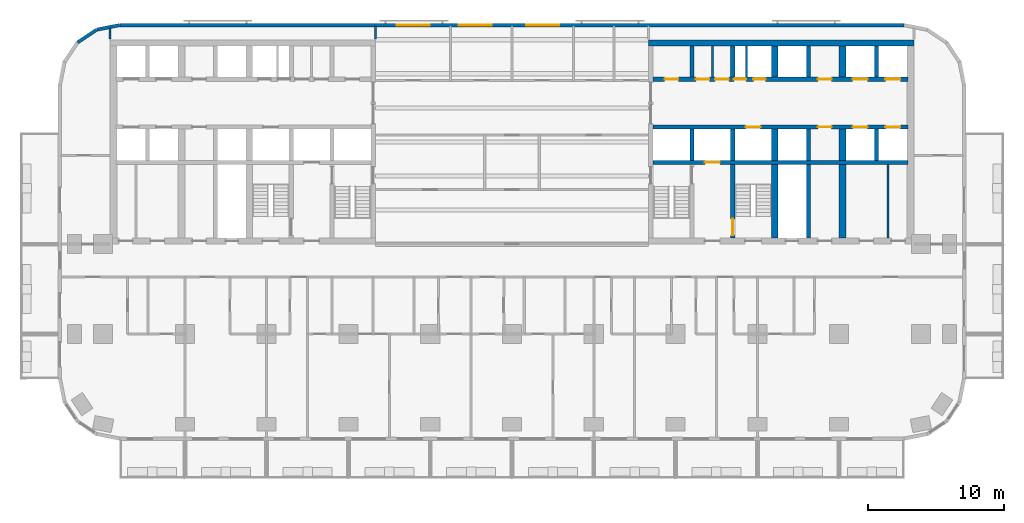
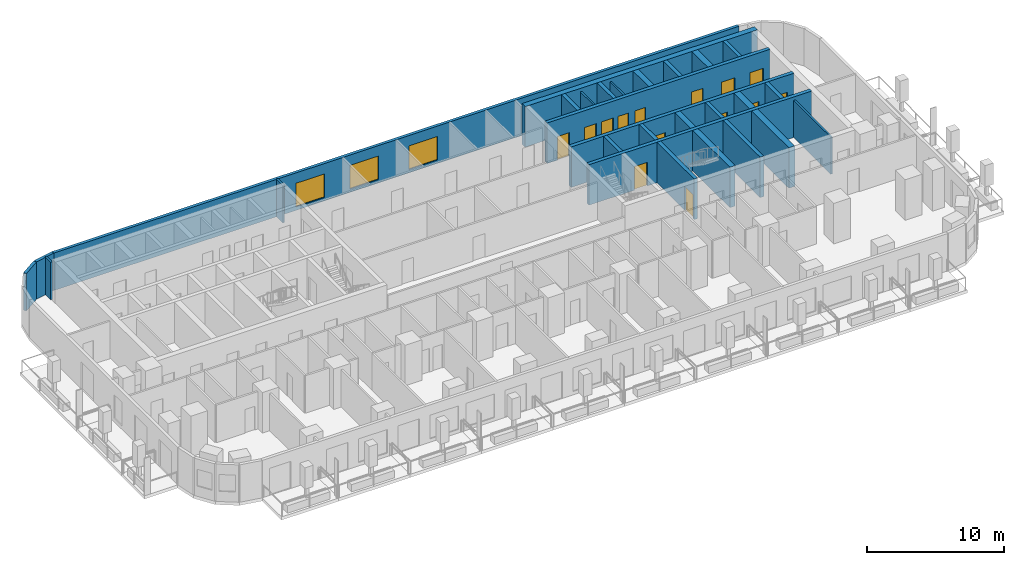
# One storey, part 7 of 13: 28 walls, 14 doors, 3 windows, 17 openings.
"""IFC4 building model written with IfcOpenShell, lengths in metres."""

from ifc_helpers import new_model, si_unit, direction, frame, frame_2d, origin, place, context, subcontext, project, spatial, rectangle, extrude, material, layer, layer_set, type_object, element, fill, save


model = new_model("IFC4")

# Units and contexts
model_context = context("Model", 3, precision=1e-05, world=origin(), true_north=direction((0.0, 1.0)))
body_context = subcontext(model_context, "Body", "Model", "MODEL_VIEW")
ifc_project = project(units=[si_unit("LENGTHUNIT", "METRE"), si_unit("AREAUNIT", "SQUARE_METRE"), si_unit("VOLUMEUNIT", "CUBIC_METRE"), si_unit("PLANEANGLEUNIT", "RADIAN"), si_unit("MASSUNIT", "GRAM", prefix="KILO")], contexts=[model_context])

# Site, building, storey
site_placement = place(None, origin())
site = spatial("IfcSite", under=ifc_project, at=site_placement, CompositionType="ELEMENT")
building_placement = place(site_placement, origin())
building = spatial("IfcBuilding", under=site, at=building_placement, Name="Torana Hotel and Residences", CompositionType="ELEMENT")
storey_placement = place(building_placement, frame((0.0, 0.0, 78.0)))
storey = spatial("IfcBuildingStorey", under=building, at=storey_placement, Name="L19", CompositionType="ELEMENT", Elevation=78.0)

# Wall, openings, doors
ifc_material_1 = material(Name="Concrete C80/95", Category="concrete")
ifc_layer_1 = layer(ifc_material_1, 0.300048828125)
ifc_layer_set_1 = layer_set([ifc_layer_1], Name="CORE WALL 300 C80/95")
wall_type_1 = type_object("IfcWallType", Name="CORE WALL 300 C80/95", PredefinedType="SHEAR", material=ifc_layer_set_1)
wall_1_placement = place(storey_placement, frame((10.35009765625, -2.89990234375, 0.0), z_axis=(0.0, 0.0, 1.0), x_axis=(1.0, 0.0, 0.0)))
wall_1 = element("IfcWall", 1, at=wall_1_placement, inside=storey, type_object=wall_type_1, Name="Core wall E row-N", PredefinedType="SHEAR", context=body_context, shape_type="SweptSolid", body=[
    extrude(rectangle(XDim=18.699951171875, YDim=0.300048828125, at=frame_2d((9.35009765625, 0.0))), origin(), (0.0, 0.0, 1.0), 3.60009765625),
])
opening_1_placement = place(wall_1_placement, frame((14.64990234375, 0.0, 0.0)))
opening_1 = element("IfcOpeningElement", 2, at=opening_1_placement, cuts=wall_1, Name="Opening LD", PredefinedType="OPENING", context=body_context, shape_type="SweptSolid", body=[
    extrude(rectangle(XDim=1.10009765625, YDim=2.10009765625, at=frame_2d((0.550048828125, 1.050048828125))), frame((0.0, 0.159912109375, 0.0), z_axis=(0.0, -1.0, 0.0), x_axis=(1.0, 0.0, 0.0)), (0.0, 0.0, 1.0), 0.320068359375),
])
opening_2_placement = place(wall_1_placement, frame((17.050048828125, 0.0, 0.0)))
opening_2 = element("IfcOpeningElement", 3, at=opening_2_placement, cuts=wall_1, Name="Opening LD", PredefinedType="OPENING", context=body_context, shape_type="SweptSolid", body=[
    extrude(rectangle(XDim=1.10009765625, YDim=2.10009765625, at=frame_2d((0.550048828125, 1.050048828125))), frame((0.0, 0.159912109375, 0.0), z_axis=(0.0, -1.0, 0.0), x_axis=(1.0, 0.0, 0.0)), (0.0, 0.0, 1.0), 0.320068359375),
])
opening_3_placement = place(wall_1_placement, frame((5.9375, 0.0, 0.0)))
opening_3 = element("IfcOpeningElement", 4, at=opening_3_placement, cuts=wall_1, Name="Opening L19-28", PredefinedType="OPENING", context=body_context, shape_type="SweptSolid", body=[
    extrude(rectangle(XDim=0.89990234375, YDim=2.10009765625, at=frame_2d((0.449951171875, 1.050048828125))), frame((0.0, 0.159912109375, 0.0), z_axis=(0.0, -1.0, 0.0), x_axis=(1.0, 0.0, 0.0)), (0.0, 0.0, 1.0), 0.320068359375),
])
opening_4_placement = place(wall_1_placement, frame((7.362548828125, 0.0, 0.0)))
opening_4 = element("IfcOpeningElement", 5, at=opening_4_placement, cuts=wall_1, Name="Opening L19-29", PredefinedType="OPENING", context=body_context, shape_type="SweptSolid", body=[
    extrude(rectangle(XDim=0.89990234375, YDim=2.10009765625, at=frame_2d((0.449951171875, 1.050048828125))), frame((0.0, 0.159912109375, 0.0), z_axis=(0.0, -1.0, 0.0), x_axis=(1.0, 0.0, 0.0)), (0.0, 0.0, 1.0), 0.320068359375),
])
opening_5_placement = place(wall_1_placement, frame((0.85009765625, 0.0, 0.0)))
opening_5 = element("IfcOpeningElement", 6, at=opening_5_placement, cuts=wall_1, Name="Opening L19-30", PredefinedType="OPENING", context=body_context, shape_type="SweptSolid", body=[
    extrude(rectangle(XDim=1.0, YDim=2.10009765625, at=frame_2d((0.5, 1.050048828125))), frame((0.0, 0.159912109375, 0.0), z_axis=(0.0, -1.0, 0.0), x_axis=(1.0, 0.0, 0.0)), (0.0, 0.0, 1.0), 0.320068359375),
])
opening_6_placement = place(wall_1_placement, frame((3.137451171875, 0.0, 0.0)))
opening_6 = element("IfcOpeningElement", 7, at=opening_6_placement, cuts=wall_1, Name="Opening L19-31", PredefinedType="OPENING", context=body_context, shape_type="SweptSolid", body=[
    extrude(rectangle(XDim=1.0, YDim=2.10009765625, at=frame_2d((0.5, 1.050048828125))), frame((0.0, 0.159912109375, 0.0), z_axis=(0.0, -1.0, 0.0), x_axis=(1.0, 0.0, 0.0)), (0.0, 0.0, 1.0), 0.320068359375),
])
opening_7_placement = place(wall_1_placement, frame((4.5625, 0.0, 0.0)))
opening_7 = element("IfcOpeningElement", 8, at=opening_7_placement, cuts=wall_1, Name="Opening L19-32", PredefinedType="OPENING", context=body_context, shape_type="SweptSolid", body=[
    extrude(rectangle(XDim=1.0, YDim=2.10009765625, at=frame_2d((0.5, 1.050048828125))), frame((0.0, 0.159912109375, 0.0), z_axis=(0.0, -1.0, 0.0), x_axis=(1.0, 0.0, 0.0)), (0.0, 0.0, 1.0), 0.320068359375),
])
opening_8_placement = place(wall_1_placement, frame((12.10009765625, 0.0, 0.0)))
opening_8 = element("IfcOpeningElement", 9, at=opening_8_placement, cuts=wall_1, Name="Opening L19-33", PredefinedType="OPENING", context=body_context, shape_type="SweptSolid", body=[
    extrude(rectangle(XDim=1.0, YDim=2.10009765625, at=frame_2d((0.5, 1.050048828125))), frame((0.0, 0.159912109375, 0.0), z_axis=(0.0, -1.0, 0.0), x_axis=(1.0, 0.0, 0.0)), (0.0, 0.0, 1.0), 0.320068359375),
])
ifc_material_2 = material(Name="Steel S235", Category="steel")
door_type_1 = type_object("IfcDoorType", Name="CORE ROOM FIRE DOOR D14 1000x2100", OperationType="SINGLE_SWING_LEFT", PredefinedType="DOOR", material=ifc_material_2)
door_1_placement = place(opening_5_placement, origin())
door_1 = element("IfcDoor", 10, at=door_1_placement, inside=storey, type_object=door_type_1, Name="N0 door L19", OperationType="SINGLE_SWING_RIGHT", OverallHeight=2.10009765625, OverallWidth=1.0, PredefinedType="DOOR", context=body_context, shape_type="SweptSolid", body=[
    extrude(rectangle(XDim=1.0, YDim=2.10009765625, at=frame_2d((0.5, 1.050048828125))), frame((0.0, 0.02490234375, 0.0), z_axis=(0.0, -1.0, 0.0), x_axis=(1.0, 0.0, 0.0)), (0.0, 0.0, 1.0), 0.050048828125),
])
fill(opening_5, door_1)
door_2_placement = place(opening_6_placement, origin())
door_2 = element("IfcDoor", 11, at=door_2_placement, inside=storey, type_object=door_type_1, Name="N1A door L19", OperationType="SINGLE_SWING_RIGHT", OverallHeight=2.10009765625, OverallWidth=1.0, PredefinedType="DOOR", context=body_context, shape_type="SweptSolid", body=[
    extrude(rectangle(XDim=1.0, YDim=2.10009765625, at=frame_2d((0.5, 1.050048828125))), frame((0.0, 0.02490234375, 0.0), z_axis=(0.0, -1.0, 0.0), x_axis=(1.0, 0.0, 0.0)), (0.0, 0.0, 1.0), 0.050048828125),
])
fill(opening_6, door_2)
door_3_placement = place(opening_7_placement, origin())
door_3 = element("IfcDoor", 12, at=door_3_placement, inside=storey, type_object=door_type_1, Name="N1B door L19", OperationType="SINGLE_SWING_RIGHT", OverallHeight=2.10009765625, OverallWidth=1.0, PredefinedType="DOOR", context=body_context, shape_type="SweptSolid", body=[
    extrude(rectangle(XDim=1.0, YDim=2.10009765625, at=frame_2d((0.5, 1.050048828125))), frame((0.0, 0.02490234375, 0.0), z_axis=(0.0, -1.0, 0.0), x_axis=(1.0, 0.0, 0.0)), (0.0, 0.0, 1.0), 0.050048828125),
])
fill(opening_7, door_3)
door_4_placement = place(opening_8_placement, origin())
door_4 = element("IfcDoor", 13, at=door_4_placement, inside=storey, type_object=door_type_1, Name="Free-M3 door L19", OperationType="SINGLE_SWING_RIGHT", OverallHeight=2.10009765625, OverallWidth=1.0, PredefinedType="DOOR", context=body_context, shape_type="SweptSolid", body=[
    extrude(rectangle(XDim=1.0, YDim=2.10009765625, at=frame_2d((0.5, 1.050048828125))), frame((0.0, 0.02490234375, 0.0), z_axis=(0.0, -1.0, 0.0), x_axis=(1.0, 0.0, 0.0)), (0.0, 0.0, 1.0), 0.050048828125),
])
fill(opening_8, door_4)
ifc_material_3 = material(Name="Stainless steel 316", Category="steel")
door_type_2 = type_object("IfcDoorType", Name="LIFT LANDING DOOR LD 1100x2100", OperationType="DOUBLE_DOOR_SLIDING", PredefinedType="USERDEFINED", material=ifc_material_3)
door_5_placement = place(opening_1_placement, origin())
door_5 = element("IfcDoor", 14, at=door_5_placement, inside=storey, type_object=door_type_2, Name="Lift landing door L5 L19", ObjectType="LIFT LANDING DOOR", OperationType="DOUBLE_DOOR_SLIDING", OverallHeight=2.10009765625, OverallWidth=1.10009765625, PredefinedType="USERDEFINED", context=body_context, shape_type="SweptSolid", body=[
    extrude(rectangle(XDim=1.10009765625, YDim=2.10009765625, at=frame_2d((0.550048828125, 1.050048828125))), frame((0.0, 0.02490234375, 0.0), z_axis=(0.0, -1.0, 0.0), x_axis=(1.0, 0.0, 0.0)), (0.0, 0.0, 1.0), 0.050048828125),
])
fill(opening_1, door_5)
door_6_placement = place(opening_2_placement, origin())
door_6 = element("IfcDoor", 15, at=door_6_placement, inside=storey, type_object=door_type_2, Name="Lift landing door L6 L19", ObjectType="LIFT LANDING DOOR", OperationType="DOUBLE_DOOR_SLIDING", OverallHeight=2.10009765625, OverallWidth=1.10009765625, PredefinedType="USERDEFINED", context=body_context, shape_type="SweptSolid", body=[
    extrude(rectangle(XDim=1.10009765625, YDim=2.10009765625, at=frame_2d((0.550048828125, 1.050048828125))), frame((0.0, 0.02490234375, 0.0), z_axis=(0.0, -1.0, 0.0), x_axis=(1.0, 0.0, 0.0)), (0.0, 0.0, 1.0), 0.050048828125),
])
fill(opening_2, door_6)
ifc_material_4 = material(Name="Steel S235", Category="steel")
door_type_3 = type_object("IfcDoorType", Name="RISER ACCESS DOOR D5 900x2100", OperationType="SINGLE_SWING_LEFT", PredefinedType="DOOR", material=ifc_material_4)
door_7_placement = place(opening_3_placement, origin())
door_7 = element("IfcDoor", 16, at=door_7_placement, inside=storey, type_object=door_type_3, Name="N2A door L19", OperationType="SINGLE_SWING_RIGHT", OverallHeight=2.10009765625, OverallWidth=0.89990234375, PredefinedType="DOOR", context=body_context, shape_type="SweptSolid", body=[
    extrude(rectangle(XDim=0.89990234375, YDim=2.10009765625, at=frame_2d((0.449951171875, 1.050048828125))), frame((0.0, 0.02490234375, 0.0), z_axis=(0.0, -1.0, 0.0), x_axis=(1.0, 0.0, 0.0)), (0.0, 0.0, 1.0), 0.050048828125),
])
fill(opening_3, door_7)
door_8_placement = place(opening_4_placement, origin())
door_8 = element("IfcDoor", 17, at=door_8_placement, inside=storey, type_object=door_type_3, Name="N2B door L19", OperationType="SINGLE_SWING_RIGHT", OverallHeight=2.10009765625, OverallWidth=0.89990234375, PredefinedType="DOOR", context=body_context, shape_type="SweptSolid", body=[
    extrude(rectangle(XDim=0.89990234375, YDim=2.10009765625, at=frame_2d((0.449951171875, 1.050048828125))), frame((0.0, 0.02490234375, 0.0), z_axis=(0.0, -1.0, 0.0), x_axis=(1.0, 0.0, 0.0)), (0.0, 0.0, 1.0), 0.050048828125),
])
fill(opening_4, door_8)

wall_2_placement = place(storey_placement, frame((10.35009765625, -6.39990234375, 0.0), z_axis=(0.0, 0.0, 1.0), x_axis=(1.0, 0.0, 0.0)))
wall_2 = element("IfcWall", 18, at=wall_2_placement, inside=storey, type_object=wall_type_1, Name="Core wall E row-S", PredefinedType="SHEAR", context=body_context, shape_type="SweptSolid", body=[
    extrude(rectangle(XDim=18.699951171875, YDim=0.300048828125, at=frame_2d((9.35009765625, 0.0))), origin(), (0.0, 0.0, 1.0), 3.60009765625),
])
opening_9_placement = place(wall_2_placement, frame((14.64990234375, 0.0, 0.0)))
opening_9 = element("IfcOpeningElement", 19, at=opening_9_placement, cuts=wall_2, Name="Opening LD", PredefinedType="OPENING", context=body_context, shape_type="SweptSolid", body=[
    extrude(rectangle(XDim=1.10009765625, YDim=2.10009765625, at=frame_2d((0.550048828125, 1.050048828125))), frame((0.0, 0.159912109375, 0.0), z_axis=(0.0, -1.0, 0.0), x_axis=(1.0, 0.0, 0.0)), (0.0, 0.0, 1.0), 0.320068359375),
])
opening_10_placement = place(wall_2_placement, frame((17.050048828125, 0.0, 0.0)))
opening_10 = element("IfcOpeningElement", 20, at=opening_10_placement, cuts=wall_2, Name="Opening LD", PredefinedType="OPENING", context=body_context, shape_type="SweptSolid", body=[
    extrude(rectangle(XDim=1.10009765625, YDim=2.10009765625, at=frame_2d((0.550048828125, 1.050048828125))), frame((0.0, 0.159912109375, 0.0), z_axis=(0.0, -1.0, 0.0), x_axis=(1.0, 0.0, 0.0)), (0.0, 0.0, 1.0), 0.320068359375),
])
opening_11_placement = place(wall_2_placement, frame((6.800048828125, 0.0, 0.0)))
opening_11 = element("IfcOpeningElement", 21, at=opening_11_placement, cuts=wall_2, Name="Opening LD", PredefinedType="OPENING", context=body_context, shape_type="SweptSolid", body=[
    extrude(rectangle(XDim=1.10009765625, YDim=2.10009765625, at=frame_2d((0.550048828125, 1.050048828125))), frame((0.0, 0.159912109375, 0.0), z_axis=(0.0, -1.0, 0.0), x_axis=(1.0, 0.0, 0.0)), (0.0, 0.0, 1.0), 0.320068359375),
])
opening_12_placement = place(wall_2_placement, frame((12.10009765625, 0.0, 0.0)))
opening_12 = element("IfcOpeningElement", 22, at=opening_12_placement, cuts=wall_2, Name="Opening L19-34", PredefinedType="OPENING", context=body_context, shape_type="SweptSolid", body=[
    extrude(rectangle(XDim=1.0, YDim=2.10009765625, at=frame_2d((0.5, 1.050048828125))), frame((0.0, 0.159912109375, 0.0), z_axis=(0.0, -1.0, 0.0), x_axis=(1.0, 0.0, 0.0)), (0.0, 0.0, 1.0), 0.320068359375),
])
door_9_placement = place(opening_12_placement, frame((0.5, 0.0, 0.0), z_axis=(0.0, 0.0, 1.0), x_axis=(-1.0, 0.0, 0.0)))
door_9 = element("IfcDoor", 23, at=door_9_placement, inside=storey, type_object=door_type_1, Name="Free-M4 door L19", OperationType="SINGLE_SWING_LEFT", OverallHeight=2.10009765625, OverallWidth=1.0, PredefinedType="DOOR", context=body_context, shape_type="SweptSolid", body=[
    extrude(rectangle(XDim=1.0, YDim=2.10009765625, at=frame_2d((0.0, 1.050048828125))), frame((0.0, -0.02490234375, 0.0), z_axis=(0.0, 1.0, 0.0), x_axis=(-1.0, 0.0, 0.0)), (0.0, 0.0, 1.0), 0.050048828125),
])
fill(opening_12, door_9)
door_10_placement = place(opening_9_placement, origin())
door_10 = element("IfcDoor", 24, at=door_10_placement, inside=storey, type_object=door_type_2, Name="Lift landing door L7 L19", ObjectType="LIFT LANDING DOOR", OperationType="DOUBLE_DOOR_SLIDING", OverallHeight=2.10009765625, OverallWidth=1.10009765625, PredefinedType="USERDEFINED", context=body_context, shape_type="SweptSolid", body=[
    extrude(rectangle(XDim=1.10009765625, YDim=2.10009765625, at=frame_2d((0.550048828125, 1.050048828125))), frame((0.0, 0.02490234375, 0.0), z_axis=(0.0, -1.0, 0.0), x_axis=(1.0, 0.0, 0.0)), (0.0, 0.0, 1.0), 0.050048828125),
])
fill(opening_9, door_10)
door_11_placement = place(opening_10_placement, origin())
door_11 = element("IfcDoor", 25, at=door_11_placement, inside=storey, type_object=door_type_2, Name="Lift landing door L8 L19", ObjectType="LIFT LANDING DOOR", OperationType="DOUBLE_DOOR_SLIDING", OverallHeight=2.10009765625, OverallWidth=1.10009765625, PredefinedType="USERDEFINED", context=body_context, shape_type="SweptSolid", body=[
    extrude(rectangle(XDim=1.10009765625, YDim=2.10009765625, at=frame_2d((0.550048828125, 1.050048828125))), frame((0.0, 0.02490234375, 0.0), z_axis=(0.0, -1.0, 0.0), x_axis=(1.0, 0.0, 0.0)), (0.0, 0.0, 1.0), 0.050048828125),
])
fill(opening_10, door_11)
door_12_placement = place(opening_11_placement, origin())
door_12 = element("IfcDoor", 26, at=door_12_placement, inside=storey, type_object=door_type_2, Name="Lift landing door SV2 L19", ObjectType="LIFT LANDING DOOR", OperationType="DOUBLE_DOOR_SLIDING", OverallHeight=2.10009765625, OverallWidth=1.10009765625, PredefinedType="USERDEFINED", context=body_context, shape_type="SweptSolid", body=[
    extrude(rectangle(XDim=1.10009765625, YDim=2.10009765625, at=frame_2d((0.550048828125, 1.050048828125))), frame((0.0, 0.02490234375, 0.0), z_axis=(0.0, -1.0, 0.0), x_axis=(1.0, 0.0, 0.0)), (0.0, 0.0, 1.0), 0.050048828125),
])
fill(opening_11, door_12)

# Wall, opening, door
wall_3_placement = place(storey_placement, frame((10.35009765625, -9.0, 0.0), z_axis=(0.0, 0.0, 1.0), x_axis=(1.0, 0.0, 0.0)))
wall_3 = element("IfcWall", 27, at=wall_3_placement, inside=storey, type_object=wall_type_1, Name="Core wall E band", PredefinedType="SHEAR", context=body_context, shape_type="SweptSolid", body=[
    extrude(rectangle(XDim=18.699951171875, YDim=0.300048828125, at=frame_2d((9.35009765625, 0.0))), origin(), (0.0, 0.0, 1.0), 3.60009765625),
])
opening_13_placement = place(wall_3_placement, frame((3.800048828125, 0.0, 0.0)))
opening_13 = element("IfcOpeningElement", 28, at=opening_13_placement, cuts=wall_3, Name="Opening LD", PredefinedType="OPENING", context=body_context, shape_type="SweptSolid", body=[
    extrude(rectangle(XDim=1.10009765625, YDim=2.10009765625, at=frame_2d((0.550048828125, 1.050048828125))), frame((0.0, 0.159912109375, 0.0), z_axis=(0.0, -1.0, 0.0), x_axis=(1.0, 0.0, 0.0)), (0.0, 0.0, 1.0), 0.320068359375),
])
door_13_placement = place(opening_13_placement, origin())
door_13 = element("IfcDoor", 29, at=door_13_placement, inside=storey, type_object=door_type_2, Name="Lift landing door FF2 L19", ObjectType="LIFT LANDING DOOR", OperationType="DOUBLE_DOOR_SLIDING", OverallHeight=2.10009765625, OverallWidth=1.10009765625, PredefinedType="USERDEFINED", context=body_context, shape_type="SweptSolid", body=[
    extrude(rectangle(XDim=1.10009765625, YDim=2.10009765625, at=frame_2d((0.550048828125, 1.050048828125))), frame((0.0, 0.02490234375, 0.0), z_axis=(0.0, -1.0, 0.0), x_axis=(1.0, 0.0, 0.0)), (0.0, 0.0, 1.0), 0.050048828125),
])
fill(opening_13, door_13)

# Walls
for number, where, z_axis, x_axis, name in (
    (30, (13.199951171875, -2.75, 0.0), (0.0, 0.0, 1.0), (0.0, 1.0, 0.0), "Core wall E x3.05-N"),
    (31, (13.199951171875, -8.85009765625, 0.0), (0.0, 0.0, 1.0), (0.0, 1.0, 0.0), "Core wall E x3.05-S"),
    (32, (16.199951171875, -2.75, 0.0), (0.0, 0.0, 1.0), (0.0, 1.0, 0.0), "Core wall E x6.05-N"),
    (33, (16.199951171875, -8.85009765625, 0.0), (0.0, 0.0, 1.0), (0.0, 1.0, 0.0), "Core wall E x6.05-S"),
):
    element("IfcWall", number, at=place(storey_placement, frame(where, z_axis=z_axis, x_axis=x_axis)), inside=storey, type_object=wall_type_1, Name=name, PredefinedType="SHEAR", context=body_context, shape_type="SweptSolid", body=[
        extrude(rectangle(XDim=2.300048828125, YDim=0.300048828125, at=frame_2d((1.14990234375, 0.0))), origin(), (0.0, 0.0, 1.0), 3.60009765625),
    ])

# Wall, opening, door
wall_4_placement = place(storey_placement, frame((16.199951171875, -14.550048828125, 0.0), z_axis=(0.0, 0.0, 1.0), x_axis=(0.0, 1.0, 0.0)))
wall_4 = element("IfcWall", 34, at=wall_4_placement, inside=storey, type_object=wall_type_1, Name="Core wall E x6.05-band", PredefinedType="SHEAR", context=body_context, shape_type="SweptSolid", body=[
    extrude(rectangle(XDim=5.400146484375, YDim=0.300048828125, at=frame_2d((2.7001953125, 0.0))), origin(), (0.0, 0.0, 1.0), 3.60009765625),
])
opening_14_placement = place(wall_4_placement, frame((0.199951171875, 0.0, 0.0)))
opening_14 = element("IfcOpeningElement", 35, at=opening_14_placement, cuts=wall_4, Name="Opening L19-36", PredefinedType="OPENING", context=body_context, shape_type="SweptSolid", body=[
    extrude(rectangle(XDim=1.199951171875, YDim=2.10009765625, at=frame_2d((0.60009765625, 1.050048828125))), frame((0.0, 0.159912109375, 0.0), z_axis=(0.0, -1.0, 0.0), x_axis=(1.0, 0.0, 0.0)), (0.0, 0.0, 1.0), 0.320068359375),
])
ifc_material_5 = material(Name="Steel S235", Category="steel")
door_type_4 = type_object("IfcDoorType", Name="STAIR FIRE DOOR D3 1200x2100", OperationType="SINGLE_SWING_LEFT", PredefinedType="DOOR", material=ifc_material_5)
door_14_placement = place(opening_14_placement, frame((0.60009765625, 0.0, 0.0), z_axis=(0.0, 0.0, 1.0), x_axis=(-1.0, 0.0, 0.0)))
door_14 = element("IfcDoor", 36, at=door_14_placement, inside=storey, type_object=door_type_4, Name="Stair-B-lobby door L19", OperationType="SINGLE_SWING_LEFT", OverallHeight=2.10009765625, OverallWidth=1.199951171875, PredefinedType="DOOR", context=body_context, shape_type="SweptSolid", body=[
    extrude(rectangle(XDim=1.199951171875, YDim=2.10009765625, at=frame_2d((0.0, 1.050048828125))), frame((0.0, -0.02490234375, 0.0), z_axis=(0.0, 1.0, 0.0), x_axis=(-1.0, 0.0, 0.0)), (0.0, 0.0, 1.0), 0.050048828125),
])
fill(opening_14, door_14)

# Walls
for number, where, z_axis, x_axis, name in (
    (37, (21.75, -2.75, 0.0), (0.0, 0.0, 1.0), (0.0, 1.0, 0.0), "Core wall E mm-N"),
    (38, (21.75, -8.85009765625, 0.0), (0.0, 0.0, 1.0), (0.0, 1.0, 0.0), "Core wall E mm-S"),
):
    element("IfcWall", number, at=place(storey_placement, frame(where, z_axis=z_axis, x_axis=x_axis)), inside=storey, type_object=wall_type_1, Name=name, PredefinedType="SHEAR", context=body_context, shape_type="SweptSolid", body=[
        extrude(rectangle(XDim=2.300048828125, YDim=0.300048828125, at=frame_2d((1.14990234375, 0.0))), origin(), (0.0, 0.0, 1.0), 3.60009765625),
    ])
wall_5_placement = place(storey_placement, frame((21.75, -14.550048828125, 0.0), z_axis=(0.0, 0.0, 1.0), x_axis=(0.0, 1.0, 0.0)))
element("IfcWall", 39, at=wall_5_placement, inside=storey, type_object=wall_type_1, Name="Core wall E mm-band", PredefinedType="SHEAR", context=body_context, shape_type="SweptSolid", body=[
    extrude(rectangle(XDim=5.400146484375, YDim=0.300048828125, at=frame_2d((2.7001953125, 0.0))), origin(), (0.0, 0.0, 1.0), 3.60009765625),
])
for number, where, z_axis, x_axis, name in (
    (40, (26.75, -2.75, 0.0), (0.0, 0.0, 1.0), (0.0, 1.0, 0.0), "Core wall E ll-N"),
    (41, (26.75, -8.85009765625, 0.0), (0.0, 0.0, 1.0), (0.0, 1.0, 0.0), "Core wall E ll-S"),
):
    element("IfcWall", number, at=place(storey_placement, frame(where, z_axis=z_axis, x_axis=x_axis)), inside=storey, type_object=wall_type_1, Name=name, PredefinedType="SHEAR", context=body_context, shape_type="SweptSolid", body=[
        extrude(rectangle(XDim=2.300048828125, YDim=0.300048828125, at=frame_2d((1.14990234375, 0.0))), origin(), (0.0, 0.0, 1.0), 3.60009765625),
    ])
ifc_material_6 = material(Name="Concrete C80/95", Category="concrete")
ifc_layer_2 = layer(ifc_material_6, 0.449951171875)
ifc_layer_set_2 = layer_set([ifc_layer_2], Name="CORE WALL 450 C80/95")
wall_type_2 = type_object("IfcWallType", Name="CORE WALL 450 C80/95", PredefinedType="SHEAR", material=ifc_layer_set_2)
wall_6_placement = place(storey_placement, frame((10.0, -0.22509765625, 0.0), z_axis=(0.0, 0.0, 1.0), x_axis=(1.0, 0.0, 0.0)))
element("IfcWall", 42, at=wall_6_placement, inside=storey, type_object=wall_type_2, Name="Core wall E rear", PredefinedType="SHEAR", context=body_context, shape_type="SweptSolid", body=[
    extrude(rectangle(XDim=19.5, YDim=0.449951171875, at=frame_2d((9.75, 0.0))), origin(), (0.0, 0.0, 1.0), 3.60009765625),
])
for number, where, z_axis, x_axis, name in (
    (43, (19.27490234375, -2.75, 0.0), (0.0, 0.0, 1.0), (0.0, 1.0, 0.0), "Core wall E hm-N"),
    (44, (19.27490234375, -8.85009765625, 0.0), (0.0, 0.0, 1.0), (0.0, 1.0, 0.0), "Core wall E hm-S"),
):
    element("IfcWall", number, at=place(storey_placement, frame(where, z_axis=z_axis, x_axis=x_axis)), inside=storey, type_object=wall_type_2, Name=name, PredefinedType="SHEAR", context=body_context, shape_type="SweptSolid", body=[
        extrude(rectangle(XDim=2.300048828125, YDim=0.449951171875, at=frame_2d((1.14990234375, 0.0))), origin(), (0.0, 0.0, 1.0), 3.60009765625),
    ])
wall_7_placement = place(storey_placement, frame((19.27490234375, -14.550048828125, 0.0), z_axis=(0.0, 0.0, 1.0), x_axis=(0.0, 1.0, 0.0)))
element("IfcWall", 45, at=wall_7_placement, inside=storey, type_object=wall_type_2, Name="Core wall E hm-band", PredefinedType="SHEAR", context=body_context, shape_type="SweptSolid", body=[
    extrude(rectangle(XDim=5.400146484375, YDim=0.449951171875, at=frame_2d((2.7001953125, 0.0))), origin(), (0.0, 0.0, 1.0), 3.60009765625),
])
ifc_material_7 = material(Name="Concrete C80/95", Category="concrete")
ifc_layer_3 = layer(ifc_material_7, 0.5)
ifc_layer_set_3 = layer_set([ifc_layer_3], Name="CORE WALL 500 C80/95")
wall_type_3 = type_object("IfcWallType", Name="CORE WALL 500 C80/95", PredefinedType="SHEAR", material=ifc_layer_set_3)
for number, where, z_axis, x_axis, name in (
    (46, (24.25, -2.75, 0.0), (0.0, 0.0, 1.0), (0.0, 1.0, 0.0), "Core wall E ml-N"),
    (47, (24.25, -8.85009765625, 0.0), (0.0, 0.0, 1.0), (0.0, 1.0, 0.0), "Core wall E ml-S"),
):
    element("IfcWall", number, at=place(storey_placement, frame(where, z_axis=z_axis, x_axis=x_axis)), inside=storey, type_object=wall_type_3, Name=name, PredefinedType="SHEAR", context=body_context, shape_type="SweptSolid", body=[
        extrude(rectangle(XDim=2.300048828125, YDim=0.5, at=frame_2d((1.14990234375, 0.0))), origin(), (0.0, 0.0, 1.0), 3.60009765625),
    ])
wall_8_placement = place(storey_placement, frame((24.25, -14.550048828125, 0.0), z_axis=(0.0, 0.0, 1.0), x_axis=(0.0, 1.0, 0.0)))
element("IfcWall", 48, at=wall_8_placement, inside=storey, type_object=wall_type_3, Name="Core wall E ml-band", PredefinedType="SHEAR", context=body_context, shape_type="SweptSolid", body=[
    extrude(rectangle(XDim=5.400146484375, YDim=0.5, at=frame_2d((2.7001953125, 0.0))), origin(), (0.0, 0.0, 1.0), 3.60009765625),
])
ifc_material_8 = material(Name="Black aluminium composite panel", Category="aluminium")
ifc_layer_4 = layer(ifc_material_8, 0.00390625, Name="Cladding", Category="cladding")
ifc_material_9 = material(Name="Ventilated air cavity")
ifc_layer_5 = layer(ifc_material_9, 0.0400390625, Name="Ventilated cavity", Category="cavity")
ifc_material_10 = material(Name="Mineral wool insulation")
ifc_layer_6 = layer(ifc_material_10, 0.090087890625, Name="Insulation", Category="insulation")
ifc_material_11 = material(Name="Steel S280GD", Category="steel")
ifc_layer_7 = layer(ifc_material_11, 0.092041015625, Name="Steel stud frame", Category="structure")
ifc_material_12 = material(Name="Fire rated plasterboard")
ifc_layer_8 = layer(ifc_material_12, 0.011962890625, Name="Inner board", Category="finish")
ifc_layer_9 = layer(ifc_material_12, 0.011962890625, Name="Second board", Category="finish")
ifc_layer_set_4 = layer_set([ifc_layer_4, ifc_layer_5, ifc_layer_6, ifc_layer_7, ifc_layer_8, ifc_layer_9], Name="EW1 EXTERNAL WALL BLACK METAL CLAD 250")
wall_type_4 = type_object("IfcWallType", Name="EW1 EXTERNAL WALL BLACK METAL CLAD 250", PredefinedType="SOLIDWALL", material=ifc_layer_set_4)
wall_9_placement = place(storey_placement, frame((-28.7998046875, 1.072509765625, 0.0), z_axis=(0.0, 0.0, 1.0), x_axis=(-0.980803419081, -0.194999110559, 0.0)))
element("IfcWall", 49, at=wall_9_placement, inside=storey, type_object=wall_type_4, Name="External wall L19 e0.5", PredefinedType="SOLIDWALL", context=body_context, shape_type="SweptSolid", body=[
    extrude(rectangle(XDim=1.681396484375, YDim=0.25, at=frame_2d((0.8408203125, 0.0))), origin(), (0.0, 0.0, 1.0), 3.320068359375),
])
wall_10_placement = place(storey_placement, frame((-30.493896484375, 0.725830078125, 0.0), z_axis=(0.0, 0.0, 1.0), x_axis=(-0.831482937015, -0.55555029066, 0.0)))
element("IfcWall", 50, at=wall_10_placement, inside=storey, type_object=wall_type_4, Name="External wall L19 e0.6", PredefinedType="SOLIDWALL", context=body_context, shape_type="SweptSolid", body=[
    extrude(rectangle(XDim=1.65625, YDim=0.25, at=frame_2d((0.828125, 0.0))), origin(), (0.0, 0.0, 1.0), 3.320068359375),
])

# Wall, openings, windows
ifc_material_13 = material(Name="Concrete C40/50 precast", Category="concrete")
ifc_layer_10 = layer(ifc_material_13, 0.10009765625, Name="Perforated block", Category="cladding")
ifc_material_14 = material(Name="Air cavity")
ifc_layer_11 = layer(ifc_material_14, 0.030029296875, Name="Cavity", Category="cavity")
ifc_material_15 = material(Name="Concrete C40/50", Category="concrete")
ifc_layer_12 = layer(ifc_material_15, 0.10009765625, Name="Wall", Category="structure")
ifc_material_16 = material(Name="Plaster and paint")
ifc_layer_13 = layer(ifc_material_16, 0.02001953125, Name="Inner finish", Category="finish")
ifc_layer_set_5 = layer_set([ifc_layer_10, ifc_layer_11, ifc_layer_12, ifc_layer_13], Name="EW2 PERFORATED BLOCK SCREEN WALL 250")
wall_type_5 = type_object("IfcWallType", Name="EW2 PERFORATED BLOCK SCREEN WALL 250", PredefinedType="SOLIDWALL", material=ifc_layer_set_5)
wall_11_placement = place(storey_placement, frame((28.775390625, 1.074951171875, 0.0), z_axis=(0.0, 0.0, 1.0), x_axis=(-1.0, 0.0, 0.0)))
wall_11 = element("IfcWall", 51, at=wall_11_placement, inside=storey, type_object=wall_type_5, Name="External wall L19 e0.4", PredefinedType="SOLIDWALL", context=body_context, shape_type="SweptSolid", body=[
    extrude(rectangle(XDim=57.55078125, YDim=0.25, at=frame_2d((28.775390625, 0.0))), origin(), (0.0, 0.0, 1.0), 3.320068359375),
])
opening_15_placement = place(wall_11_placement, frame((25.325439453125, 0.0, 0.300048828125)))
opening_15 = element("IfcOpeningElement", 52, at=opening_15_placement, cuts=wall_11, Name="Opening W1", PredefinedType="OPENING", context=body_context, shape_type="SweptSolid", body=[
    extrude(rectangle(XDim=2.39990234375, YDim=2.10009765625, at=frame_2d((1.199951171875, 1.050048828125))), frame((0.0, 0.135009765625, 0.0), z_axis=(0.0, -1.0, 0.0), x_axis=(1.0, 0.0, 0.0)), (0.0, 0.0, 1.0), 0.27001953125),
])
opening_16_placement = place(wall_11_placement, frame((30.275390625, 0.0, 0.300048828125)))
opening_16 = element("IfcOpeningElement", 53, at=opening_16_placement, cuts=wall_11, Name="Opening W1", PredefinedType="OPENING", context=body_context, shape_type="SweptSolid", body=[
    extrude(rectangle(XDim=2.39990234375, YDim=2.10009765625, at=frame_2d((1.199951171875, 1.050048828125))), frame((0.0, 0.135009765625, 0.0), z_axis=(0.0, -1.0, 0.0), x_axis=(1.0, 0.0, 0.0)), (0.0, 0.0, 1.0), 0.27001953125),
])
opening_17_placement = place(wall_11_placement, frame((34.825439453125, 0.0, 0.300048828125)))
opening_17 = element("IfcOpeningElement", 54, at=opening_17_placement, cuts=wall_11, Name="Opening W1", PredefinedType="OPENING", context=body_context, shape_type="SweptSolid", body=[
    extrude(rectangle(XDim=2.39990234375, YDim=2.10009765625, at=frame_2d((1.199951171875, 1.050048828125))), frame((0.0, 0.135009765625, 0.0), z_axis=(0.0, -1.0, 0.0), x_axis=(1.0, 0.0, 0.0)), (0.0, 0.0, 1.0), 0.27001953125),
])
ifc_material_17 = material(Name="Dark glass in black aluminium frame", Category="aluminium")
window_type = type_object("IfcWindowType", Name="W1 HOTEL ROOM WINDOW 2400x2100", PartitioningType="SINGLE_PANEL", PredefinedType="WINDOW", material=ifc_material_17)
window_1_placement = place(opening_15_placement, origin())
window_1 = element("IfcWindow", 55, at=window_1_placement, inside=storey, type_object=window_type, Name="Window L19", OverallHeight=2.10009765625, OverallWidth=2.39990234375, PartitioningType="SINGLE_PANEL", PredefinedType="WINDOW", context=body_context, shape_type="SweptSolid", body=[
    extrude(rectangle(XDim=2.39990234375, YDim=2.10009765625, at=frame_2d((1.199951171875, 1.050048828125))), frame((0.0, 0.030029296875, 0.0), z_axis=(0.0, -1.0, 0.0), x_axis=(1.0, 0.0, 0.0)), (0.0, 0.0, 1.0), 0.06005859375),
])
fill(opening_15, window_1)
window_2_placement = place(opening_16_placement, origin())
window_2 = element("IfcWindow", 56, at=window_2_placement, inside=storey, type_object=window_type, Name="Window L19", OverallHeight=2.10009765625, OverallWidth=2.39990234375, PartitioningType="SINGLE_PANEL", PredefinedType="WINDOW", context=body_context, shape_type="SweptSolid", body=[
    extrude(rectangle(XDim=2.39990234375, YDim=2.10009765625, at=frame_2d((1.199951171875, 1.050048828125))), frame((0.0, 0.030029296875, 0.0), z_axis=(0.0, -1.0, 0.0), x_axis=(1.0, 0.0, 0.0)), (0.0, 0.0, 1.0), 0.06005859375),
])
fill(opening_16, window_2)
window_3_placement = place(opening_17_placement, origin())
window_3 = element("IfcWindow", 57, at=window_3_placement, inside=storey, type_object=window_type, Name="Window L19", OverallHeight=2.10009765625, OverallWidth=2.39990234375, PartitioningType="SINGLE_PANEL", PredefinedType="WINDOW", context=body_context, shape_type="SweptSolid", body=[
    extrude(rectangle(XDim=2.39990234375, YDim=2.10009765625, at=frame_2d((1.199951171875, 1.050048828125))), frame((0.0, 0.030029296875, 0.0), z_axis=(0.0, -1.0, 0.0), x_axis=(1.0, 0.0, 0.0)), (0.0, 0.0, 1.0), 0.06005859375),
])
fill(opening_17, window_3)

# Walls
ifc_material_18 = material(Name="Gypsum plaster")
ifc_layer_14 = layer(ifc_material_18, 0.014892578125, Name="Plaster", Category="finish")
ifc_material_19 = material(Name="Concrete blockwork", Category="masonry")
ifc_layer_15 = layer(ifc_material_19, 0.1201171875, Name="Blockwork", Category="structure")
ifc_layer_16 = layer(ifc_material_18, 0.014892578125, Name="Plaster", Category="finish")
ifc_layer_set_6 = layer_set([ifc_layer_14, ifc_layer_15, ifc_layer_16], Name="FIRE PARTITION 150 BLOCKWORK")
wall_type_6 = type_object("IfcWallType", Name="FIRE PARTITION 150 BLOCKWORK", PredefinedType="PARTITIONING", material=ifc_layer_set_6)
for number, where, z_axis, x_axis, name in (
    (58, (17.199951171875, -2.75, 0.0), (0.0, 0.0, 1.0), (0.0, 1.0, 0.0), "Core partition L19"),
    (59, (14.699951171875, -2.75, 0.0), (0.0, 0.0, 1.0), (0.0, 1.0, 0.0), "Core partition L19"),
):
    element("IfcWall", number, at=place(storey_placement, frame(where, z_axis=z_axis, x_axis=x_axis)), inside=storey, type_object=wall_type_6, Name=name, PredefinedType="PARTITIONING", context=body_context, shape_type="SweptSolid", body=[
        extrude(rectangle(XDim=2.300048828125, YDim=0.14990234375, at=frame_2d((1.14990234375, 0.0))), origin(), (0.0, 0.0, 1.0), 3.300048828125),
    ])
wall_12_placement = place(storey_placement, frame((27.60009765625, -14.550048828125, 0.0), z_axis=(0.0, 0.0, 1.0), x_axis=(0.0, 1.0, 0.0)))
element("IfcWall", 60, at=wall_12_placement, inside=storey, type_object=wall_type_6, Name="Core partition L19", PredefinedType="PARTITIONING", context=body_context, shape_type="SweptSolid", body=[
    extrude(rectangle(XDim=5.400146484375, YDim=0.14990234375, at=frame_2d((2.7001953125, 0.0))), origin(), (0.0, 0.0, 1.0), 3.300048828125),
])
ifc_material_20 = material(Name="Gypsum plasterboard")
ifc_layer_17 = layer(ifc_material_20, 0.012451171875, Name="Plasterboard", Category="finish")
ifc_layer_18 = layer(ifc_material_20, 0.012451171875, Name="Plasterboard", Category="finish")
ifc_layer_19 = layer(ifc_material_11, 0.10009765625, Name="Steel studs with mineral wool", Category="insulation")
ifc_layer_20 = layer(ifc_material_20, 0.012451171875, Name="Plasterboard", Category="finish")
ifc_layer_21 = layer(ifc_material_20, 0.012451171875, Name="Plasterboard", Category="finish")
ifc_layer_set_7 = layer_set([ifc_layer_17, ifc_layer_18, ifc_layer_19, ifc_layer_20, ifc_layer_21], Name="PARTITION 150 PLASTERBOARD")
wall_type_7 = type_object("IfcWallType", Name="PARTITION 150 PLASTERBOARD", PredefinedType="PARTITIONING", material=ifc_layer_set_7)
wall_13_placement = place(storey_placement, frame((-10.0, 0.050048828125, 0.0), z_axis=(0.0, 0.0, 1.0), x_axis=(0.0, 1.0, 0.0)))
element("IfcWall", 61, at=wall_13_placement, inside=storey, type_object=wall_type_7, Name="Partition L19", PredefinedType="PARTITIONING", context=body_context, shape_type="SweptSolid", body=[
    extrude(rectangle(XDim=0.969970703125, YDim=0.14990234375, at=frame_2d((0.48486328125, 0.0))), origin(), (0.0, 0.0, 1.0), 3.320068359375),
])
wall_14_placement = place(storey_placement, frame((-29.5, 0.050048828125, 0.0), z_axis=(0.0, 0.0, 1.0), x_axis=(0.0, 1.0, 0.0)))
element("IfcWall", 62, at=wall_14_placement, inside=storey, type_object=wall_type_7, Name="Partition L19", PredefinedType="PARTITIONING", context=body_context, shape_type="SweptSolid", body=[
    extrude(rectangle(XDim=0.8271484375, YDim=0.14990234375, at=frame_2d((0.41357421875, 0.0))), origin(), (0.0, 0.0, 1.0), 3.320068359375),
])

save(model, "model.ifc")
